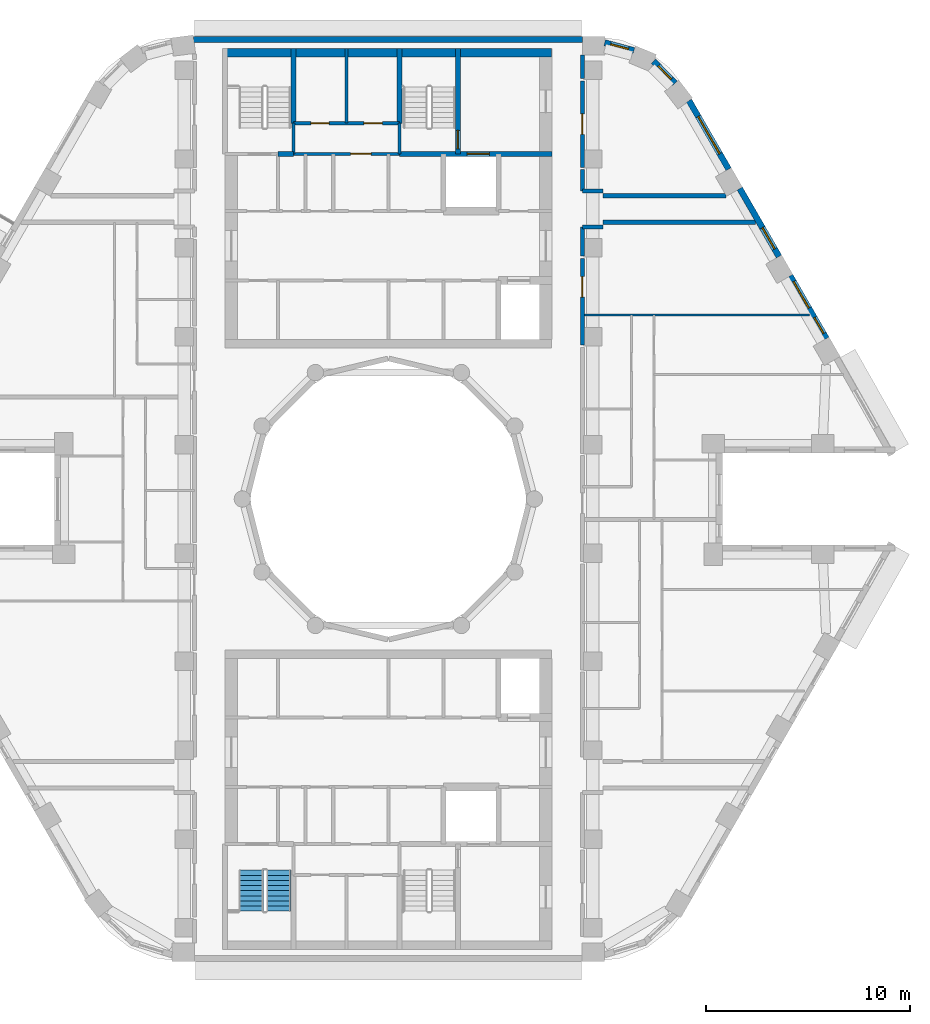
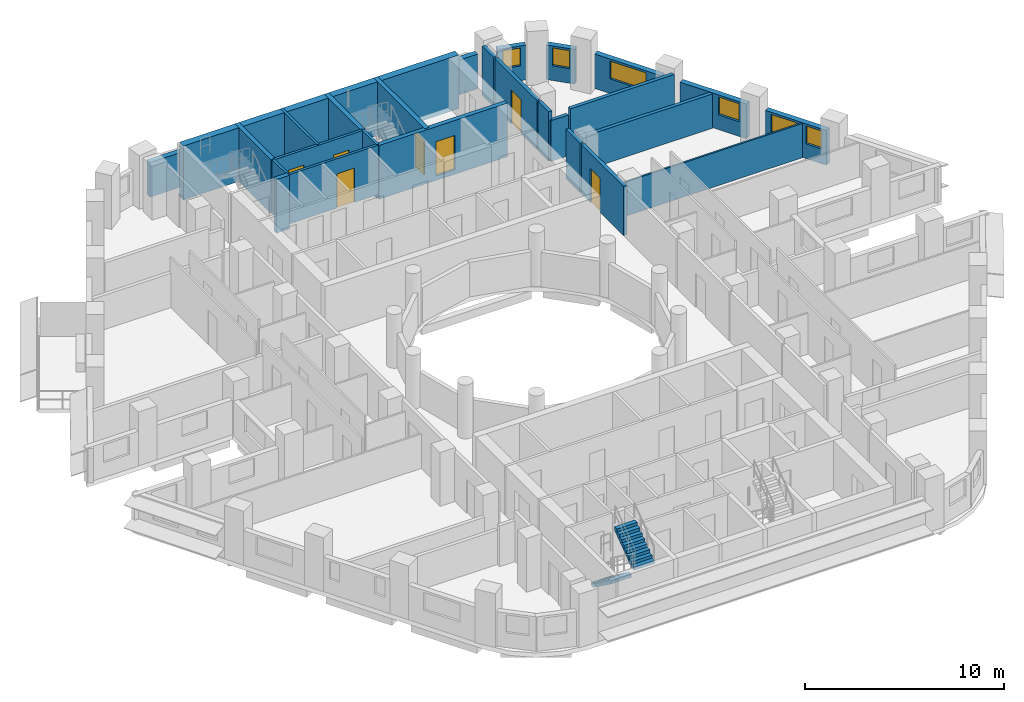
# One storey, part 8 of 13: 27 walls, 7 doors, 6 windows, 2 stair flights, 13 openings, 1 element without a shape of its own.
"""IFC4 building model written with IfcOpenShell, lengths in metres."""

import ifcopenshell
import ifcopenshell.guid

model = None  # the IFC model being written
_history = None  # IfcOwnerHistory: only IFC2X3 demands one
_inside = {}  # id of a spatial element -> (the spatial element, [elements in it])
_under = {}  # id of a project, library or spatial element -> (it, [spatial elements below it])
_declared = {}  # id of a project -> (the project, [libraries it declares])
_typed = {}  # id of a type object -> (the type object, [elements of that type])
_made_of = {}  # id of a material, layer set ... -> (it, [elements and type objects made of it])


def new_model(schema):
    """Start an empty IFC model of exactly this schema.

    Asked for "IFC4X3", IfcOpenShell would pick the latest addendum, in which some entities
    have other attributes; the version numbers below select the first issue.
    IFC2X3 requires an IfcOwnerHistory on every rooted entity: one is made here for all.
    """
    global model, _history
    if schema == "IFC4X3":
        model = ifcopenshell.file(schema_version=(4, 3, 0, 0))
    else:
        model = ifcopenshell.file(schema=schema)
    _inside.clear()
    _under.clear()
    _declared.clear()
    _typed.clear()
    _made_of.clear()
    _history = None
    if model.schema == "IFC2X3":
        org = make("IfcOrganization", Name="unknown")
        user = make(
            "IfcPersonAndOrganization",
            ThePerson=make("IfcPerson", FamilyName="unknown"),
            TheOrganization=org,
        )
        app = make(
            "IfcApplication",
            ApplicationDeveloper=org,
            Version="unknown",
            ApplicationFullName="unknown",
            ApplicationIdentifier="unknown",
        )
        _history = make(
            "IfcOwnerHistory",
            OwningUser=user,
            OwningApplication=app,
            ChangeAction="ADDED",
            CreationDate=0,
        )
    return model


def make(cls, **values):
    """One entity of the class cls with the attributes given. An attribute that is None is left unset."""
    return model.create_entity(
        cls, **{name: value for name, value in values.items() if value is not None}
    )


def rooted(cls, **values):
    """An entity with a GlobalId (a new one), such as an element, a storey or a relation."""
    return make(cls, GlobalId=ifcopenshell.guid.new(), OwnerHistory=_history, **values)


def si_unit(unit_type, name, prefix=None):
    """IfcSIUnit, for example si_unit("LENGTHUNIT", "METRE", prefix="MILLI")."""
    return make("IfcSIUnit", UnitType=unit_type, Prefix=prefix, Name=name)


def assignment(units):
    """IfcUnitAssignment: the units of a project."""
    return None if units is None else make("IfcUnitAssignment", Units=units)


def point(xyz):
    """IfcCartesianPoint."""
    return None if xyz is None else make("IfcCartesianPoint", Coordinates=xyz)


def direction(xyz):
    """IfcDirection."""
    return None if xyz is None else make("IfcDirection", DirectionRatios=xyz)


def frame(location, z_axis=None, x_axis=None):
    """IfcAxis2Placement3D, a coordinate frame: its origin and axes. An axis left out is left unset."""
    return make(
        "IfcAxis2Placement3D",
        Location=point(location),
        Axis=direction(z_axis),
        RefDirection=direction(x_axis),
    )


def frame_2d(location, x_axis=None):
    """IfcAxis2Placement2D, a coordinate frame in the plane: its origin and x axis."""
    return make(
        "IfcAxis2Placement2D", Location=point(location), RefDirection=direction(x_axis)
    )


def origin():
    """The frame at (0, 0, 0) with its axes left unset."""
    return frame((0.0, 0.0, 0.0))


def place(relative_to, where):
    """IfcLocalPlacement: puts the frame where relative to a parent placement (None: the world)."""
    return make(
        "IfcLocalPlacement", PlacementRelTo=relative_to, RelativePlacement=where
    )


def context(
    kind, dimensions, precision=None, world=None, true_north=None, identifier=None
):
    """IfcGeometricRepresentationContext, for example the 3D "Model" context."""
    return make(
        "IfcGeometricRepresentationContext",
        ContextIdentifier=identifier,
        ContextType=kind,
        CoordinateSpaceDimension=dimensions,
        Precision=precision,
        WorldCoordinateSystem=world,
        TrueNorth=true_north,
    )


def subcontext(parent, identifier, kind, view, scale=None):
    """IfcGeometricRepresentationSubContext, for example "Body" below "Model"."""
    return make(
        "IfcGeometricRepresentationSubContext",
        ContextIdentifier=identifier,
        ContextType=kind,
        ParentContext=parent,
        TargetScale=scale,
        TargetView=view,
    )


def project(units=None, contexts=None):
    """IfcProject with its units and contexts."""
    return rooted(
        "IfcProject",
        Name="project",
        RepresentationContexts=contexts,
        UnitsInContext=assignment(units),
    )


def spatial(cls, under=None, at=None, **own):
    """A site, building, storey or space (cls), placed at a placement, below another one or the project."""
    s = rooted(cls, ObjectPlacement=at, **own)
    if under is not None:
        _under.setdefault(under.id(), (under, []))[1].append(s)
    return s


def polyline(points):
    """IfcPolyline through the points."""
    return make("IfcPolyline", Points=[point(p) for p in points])


def profile(cls, at=None, kind="AREA", **sizes):
    """A parametric profile (cls). Its sizes go by their IFC names, for example OverallWidth=200.0."""
    return make(cls, ProfileType=kind, Position=at, **sizes)


def rectangle(**sizes):
    """IfcRectangleProfileDef."""
    return profile("IfcRectangleProfileDef", **sizes)


def outline(outer, holes=None, kind="AREA"):
    """IfcArbitraryClosedProfileDef: a profile drawn as a closed curve; with holes, ...WithVoids."""
    if holes is None:
        return make("IfcArbitraryClosedProfileDef", ProfileType=kind, OuterCurve=outer)
    return make(
        "IfcArbitraryProfileDefWithVoids",
        ProfileType=kind,
        OuterCurve=outer,
        InnerCurves=holes,
    )


def extrude(swept, where, along, depth):
    """IfcExtrudedAreaSolid: the profile swept, set in the frame where, extruded along a direction by depth."""
    return make(
        "IfcExtrudedAreaSolid",
        SweptArea=swept,
        Position=where,
        ExtrudedDirection=direction(along),
        Depth=depth,
    )


def shape(context_of_items, identifier, shape_type, items):
    """IfcShapeRepresentation: the items that make up one representation, for example the "Body"."""
    return make(
        "IfcShapeRepresentation",
        ContextOfItems=context_of_items,
        RepresentationIdentifier=identifier,
        RepresentationType=shape_type,
        Items=items,
    )


def material(Name=None, Category=None):
    """IfcMaterial."""
    return make("IfcMaterial", Name=Name, Category=Category)


def layer(
    of_material, thickness, ventilated=None, Name=None, Category=None, Priority=None
):
    """IfcMaterialLayer: one layer of a wall or slab, of a material (None: an air gap)."""
    return make(
        "IfcMaterialLayer",
        Material=of_material,
        LayerThickness=thickness,
        IsVentilated=ventilated,
        Name=Name,
        Category=Category,
        Priority=Priority,
    )


def layer_set(layers, Name=None):
    """IfcMaterialLayerSet."""
    return make("IfcMaterialLayerSet", MaterialLayers=layers, LayerSetName=Name)


def made_of(thing, what):
    """Note that an element or type object is made of a material, layer set ...; save() writes the relation."""
    if what is not None:
        _made_of.setdefault(what.id(), (what, []))[1].append(thing)
    return thing


def type_object(cls, material=None, **own):
    """A type object (cls), such as IfcWallType, which elements share."""
    return made_of(rooted(cls, **own), material)


def element(
    cls,
    number,
    at=None,
    inside=None,
    cuts=None,
    type_object=None,
    material=None,
    context=None,
    identifier="Body",
    shape_type=None,
    held_by="IfcProductDefinitionShape",
    body=None,
    shapes=None,
    **own,
):
    """One element of the class cls, such as IfcWall. Its Tag is "e" and its number.

    at: its placement. inside: the storey or other place that contains it. cuts: it is an
    opening in that element (IfcRelVoidsElement). A single representation is given by context,
    identifier, shape_type and body (its items); several are given by shapes. held_by: the class
    of the entity that holds the representations. save() writes the other relations.
    """
    e = rooted(cls, Tag="e%d" % number, ObjectPlacement=at, **own)
    if body is not None:
        shapes = [shape(context, identifier, shape_type, body)]
    if shapes is not None:
        e.Representation = make(held_by, Representations=shapes)
    if inside is not None:
        _inside.setdefault(inside.id(), (inside, []))[1].append(e)
    if cuts is not None:
        rooted(
            "IfcRelVoidsElement", RelatingBuildingElement=cuts, RelatedOpeningElement=e
        )
    if type_object is not None:
        _typed.setdefault(type_object.id(), (type_object, []))[1].append(e)
    return made_of(e, material)


def fill(opening, filler):
    """IfcRelFillsElement: the door or window that sits in an opening."""
    return rooted(
        "IfcRelFillsElement",
        RelatingOpeningElement=opening,
        RelatedBuildingElement=filler,
    )


def aggregate(whole, parts):
    """IfcRelAggregates: a whole, such as a stair, and the parts it consists of."""
    return rooted("IfcRelAggregates", RelatingObject=whole, RelatedObjects=parts)


def save(model, path):
    """Write the relations noted so far, then the file.

    IfcRelAggregates (storeys below a building ...), IfcRelContainedInSpatialStructure (elements
    in a storey), IfcRelDefinesByType, IfcRelAssociatesMaterial and IfcRelDeclares: one each for
    every whole, place, type object, material and project.
    """
    for whole, parts in _under.values():
        aggregate(whole, parts)
    for where, things in _inside.values():
        rooted(
            "IfcRelContainedInSpatialStructure",
            RelatedElements=things,
            RelatingStructure=where,
        )
    for kind, things in _typed.values():
        rooted("IfcRelDefinesByType", RelatedObjects=things, RelatingType=kind)
    for what, things in _made_of.values():
        rooted("IfcRelAssociatesMaterial", RelatedObjects=things, RelatingMaterial=what)
    for by, libraries in _declared.values():
        rooted("IfcRelDeclares", RelatingContext=by, RelatedDefinitions=libraries)
    model.write(path)


model = new_model("IFC4")

# Units and contexts
model_context = context("Model", 3, precision=1e-05, world=origin(), true_north=direction((0.0, 1.0)))
body_context = subcontext(model_context, "Body", "Model", "MODEL_VIEW")
ifc_project = project(units=[si_unit("LENGTHUNIT", "METRE"), si_unit("AREAUNIT", "SQUARE_METRE"), si_unit("VOLUMEUNIT", "CUBIC_METRE"), si_unit("PLANEANGLEUNIT", "RADIAN"), si_unit("MASSUNIT", "GRAM", prefix="KILO")], contexts=[model_context])

# Site, building, storey
site_placement = place(None, origin())
site = spatial("IfcSite", under=ifc_project, at=site_placement, CompositionType="ELEMENT")
building_placement = place(site_placement, origin())
building = spatial("IfcBuilding", under=site, at=building_placement, Name="Nakaniwa Court", CompositionType="ELEMENT")
storey_placement = place(building_placement, frame((0.0, 0.0, 269.10009765625)))
storey = spatial("IfcBuildingStorey", under=building, at=storey_placement, Name="L71", CompositionType="ELEMENT", Elevation=269.10009765625)

# Wall, opening, door
ifc_material_1 = material(Name="Acoustic double stud partition")
ifc_layer_1 = layer(ifc_material_1, 0.199951171875)
ifc_layer_set_1 = layer_set([ifc_layer_1], Name="Acoustic double stud partition")
wall_type_1 = type_object("IfcWallType", Name="Acoustic double stud partition 200", PredefinedType="PARTITIONING", material=ifc_layer_set_1)
wall_1_placement = place(storey_placement, frame((89.5, 91.77294921875, 0.0), z_axis=(0.0, 0.0, 1.0), x_axis=(0.0, -1.0, 0.0)))
wall_1 = element("IfcWall", 1, at=wall_1_placement, inside=storey, type_object=wall_type_1, Name="Partition PW-065", PredefinedType="PARTITIONING", context=body_context, shape_type="SweptSolid", body=[
    extrude(rectangle(XDim=4.23583984375, YDim=0.199951171875, at=frame_2d((2.117919921875, 0.0))), origin(), (0.0, 0.0, 1.0), 3.02490234375),
])
opening_1_placement = place(wall_1_placement, frame((0.887939453125, 0.0, 0.0)))
opening_1 = element("IfcOpeningElement", 2, at=opening_1_placement, cuts=wall_1, Name="Opening D-02-02", PredefinedType="OPENING", context=body_context, shape_type="SweptSolid", body=[
    extrude(rectangle(XDim=1.0, YDim=2.10009765625, at=frame_2d((0.5, 1.050048828125))), frame((0.0, 0.10986328125, 0.0), z_axis=(0.0, -1.0, 0.0), x_axis=(1.0, 0.0, 0.0)), (0.0, 0.0, 1.0), 0.219970703125),
])
ifc_material_2 = material(Name="Solid core timber door set, black veneer", Category="wood")
door_type_1 = type_object("IfcDoorType", Name="Internal door 1000", OperationType="NOTDEFINED", PredefinedType="DOOR", material=ifc_material_2)
door_1_placement = place(opening_1_placement, origin())
door_1 = element("IfcDoor", 3, at=door_1_placement, inside=storey, type_object=door_type_1, Name="Door D-02-02 L71-044", OperationType="SINGLE_SWING_LEFT", OverallHeight=2.10009765625, OverallWidth=1.0, PredefinedType="DOOR", context=body_context, shape_type="SweptSolid", body=[
    extrude(rectangle(XDim=1.0, YDim=2.10009765625, at=frame_2d((0.5, 1.050048828125))), frame((0.0, 0.02490234375, 0.0), z_axis=(0.0, -1.0, 0.0), x_axis=(1.0, 0.0, 0.0)), (0.0, 0.0, 1.0), 0.050048828125),
])
fill(opening_1, door_1)

# Walls
wall_2_placement = place(storey_placement, frame((89.5, 91.886962890625, 0.0), z_axis=(0.0, 0.0, 1.0), x_axis=(0.0, 1.0, 0.0)))
element("IfcWall", 4, at=wall_2_placement, inside=storey, type_object=wall_type_1, Name="Partition PW-066", PredefinedType="PARTITIONING", context=body_context, shape_type="SweptSolid", body=[
    extrude(rectangle(XDim=1.44091796875, YDim=0.199951171875, at=frame_2d((0.720458984375, 0.0))), origin(), (0.0, 0.0, 1.0), 3.02490234375),
])
wall_3_placement = place(storey_placement, frame((89.5, 95.072021484375, 0.0), z_axis=(0.0, 0.0, 1.0), x_axis=(0.0, 1.0, 0.0)))
element("IfcWall", 5, at=wall_3_placement, inside=storey, type_object=wall_type_1, Name="Partition PW-067", PredefinedType="PARTITIONING", context=body_context, shape_type="SweptSolid", body=[
    extrude(rectangle(XDim=1.051025390625, YDim=0.199951171875, at=frame_2d((0.525390625, 0.0))), origin(), (0.0, 0.0, 1.0), 3.02490234375),
])

# Wall, opening, door
wall_4_placement = place(storey_placement, frame((89.5, 100.472900390625, 0.0), z_axis=(0.0, 0.0, 1.0), x_axis=(0.0, -1.0, 0.0)))
wall_4 = element("IfcWall", 6, at=wall_4_placement, inside=storey, type_object=wall_type_1, Name="Partition PW-068", PredefinedType="PARTITIONING", context=body_context, shape_type="SweptSolid", body=[
    extrude(rectangle(XDim=4.23583984375, YDim=0.199951171875, at=frame_2d((2.117919921875, 0.0))), origin(), (0.0, 0.0, 1.0), 3.02490234375),
])
opening_2_placement = place(wall_4_placement, frame((1.617919921875, 0.0, 0.0)))
opening_2 = element("IfcOpeningElement", 7, at=opening_2_placement, cuts=wall_4, Name="Opening D-02-04", PredefinedType="OPENING", context=body_context, shape_type="SweptSolid", body=[
    extrude(rectangle(XDim=1.0, YDim=2.10009765625, at=frame_2d((0.5, 1.050048828125))), frame((0.0, 0.10986328125, 0.0), z_axis=(0.0, -1.0, 0.0), x_axis=(1.0, 0.0, 0.0)), (0.0, 0.0, 1.0), 0.219970703125),
])
door_2_placement = place(opening_2_placement, origin())
door_2 = element("IfcDoor", 8, at=door_2_placement, inside=storey, type_object=door_type_1, Name="Door D-02-04 L71-056", OperationType="SINGLE_SWING_LEFT", OverallHeight=2.10009765625, OverallWidth=1.0, PredefinedType="DOOR", context=body_context, shape_type="SweptSolid", body=[
    extrude(rectangle(XDim=1.0, YDim=2.10009765625, at=frame_2d((0.5, 1.050048828125))), frame((0.0, 0.02490234375, 0.0), z_axis=(0.0, -1.0, 0.0), x_axis=(1.0, 0.0, 0.0)), (0.0, 0.0, 1.0), 0.050048828125),
])
fill(opening_2, door_2)

# Walls
wall_5_placement = place(storey_placement, frame((89.5, 100.5869140625, 0.0), z_axis=(0.0, 0.0, 1.0), x_axis=(0.0, 1.0, 0.0)))
element("IfcWall", 9, at=wall_5_placement, inside=storey, type_object=wall_type_1, Name="Partition PW-069", PredefinedType="PARTITIONING", context=body_context, shape_type="SweptSolid", body=[
    extrude(rectangle(XDim=1.14599609375, YDim=0.199951171875, at=frame_2d((0.572998046875, 0.0))), origin(), (0.0, 0.0, 1.0), 3.02490234375),
])
wall_6_placement = place(storey_placement, frame((90.5, 93.550048828125, 0.0), z_axis=(0.0, 0.0, 1.0), x_axis=(1.0, 0.0, 0.0)))
element("IfcWall", 10, at=wall_6_placement, inside=storey, type_object=wall_type_1, Name="Partition PW-071", PredefinedType="PARTITIONING", context=body_context, shape_type="SweptSolid", body=[
    extrude(rectangle(XDim=7.484619140625, YDim=0.199951171875, at=frame_2d((3.7421875, 0.0))), origin(), (0.0, 0.0, 1.0), 2.10498046875),
])
for number, where, z_axis, x_axis, name in (
    (11, (89.5, 93.324951171875, 0.0), (0.0, 0.0, 1.0), (1.0, 0.0, 0.0), "Partition PW-073"),
    (12, (89.5, 95.074951171875, 0.0), (0.0, 0.0, 1.0), (1.0, 0.0, 0.0), "Partition PW-075"),
):
    element("IfcWall", number, at=place(storey_placement, frame(where, z_axis=z_axis, x_axis=x_axis)), inside=storey, type_object=wall_type_1, Name=name, PredefinedType="PARTITIONING", context=body_context, shape_type="SweptSolid", body=[
        extrude(rectangle(XDim=1.0, YDim=0.199951171875, at=frame_2d((0.5, 0.0))), origin(), (0.0, 0.0, 1.0), 2.5048828125),
    ])
wall_7_placement = place(storey_placement, frame((90.5, 94.85009765625, 0.0), z_axis=(0.0, 0.0, 1.0), x_axis=(1.0, 0.0, 0.0)))
element("IfcWall", 13, at=wall_7_placement, inside=storey, type_object=wall_type_1, Name="Partition PW-077", PredefinedType="PARTITIONING", context=body_context, shape_type="SweptSolid", body=[
    extrude(rectangle(XDim=6.02099609375, YDim=0.199951171875, at=frame_2d((3.010498046875, 0.0))), origin(), (0.0, 0.0, 1.0), 3.02490234375),
])

# Wall, openings, windows
ifc_material_3 = material(Name="Charcoal ceramic cladding")
ifc_layer_2 = layer(ifc_material_3, 0.02, Name="Ceramic cladding")
ifc_material_4 = material(Name="Ventilated air cavity")
ifc_layer_3 = layer(ifc_material_4, 0.04, ventilated=True, Name="Ventilated cavity")
ifc_material_5 = material(Name="Mineral wool insulation")
ifc_layer_4 = layer(ifc_material_5, 0.1, Name="Insulation")
ifc_material_6 = material(Name="Cement bonded sheathing board")
ifc_layer_5 = layer(ifc_material_6, 0.012, Name="Sheathing")
ifc_material_7 = material(Name="Cold-formed galvanised stud frame with mineral wool infill")
ifc_layer_6 = layer(ifc_material_7, 0.1, Name="Stud frame")
ifc_material_8 = material(Name="Fire-rated gypsum plasterboard lining")
ifc_layer_7 = layer(ifc_material_8, 0.028, Name="Lining")
ifc_layer_set_2 = layer_set([ifc_layer_2, ifc_layer_3, ifc_layer_4, ifc_layer_5, ifc_layer_6, ifc_layer_7], Name="Charcoal ceramic faced external wall system")
wall_type_2 = type_object("IfcWallType", Name="Black ceramic faced external wall 300", PredefinedType="SOLIDWALL", material=ifc_layer_set_2)
wall_8_placement = place(storey_placement, frame((101.44580078125, 87.85498046875, 0.0), z_axis=(0.0, 0.0, 1.0), x_axis=(-0.500010404316, 0.866019396766, 0.0)))
wall_8 = element("IfcWall", 14, at=wall_8_placement, inside=storey, type_object=wall_type_2, Name="L71 external wall 03", PredefinedType="SOLIDWALL", context=body_context, shape_type="SweptSolid", body=[
    extrude(rectangle(XDim=3.54736328125, YDim=0.300048828125, at=frame_2d((1.773681640625, 0.0))), origin(), (0.0, 0.0, 1.0), 2.125),
])
opening_3_placement = place(wall_8_placement, frame((0.28515625, 0.0, 0.89990234375)))
opening_3 = element("IfcOpeningElement", 15, at=opening_3_placement, cuts=wall_8, Name="Opening W9.04", PredefinedType="OPENING", context=body_context, shape_type="SweptSolid", body=[
    extrude(rectangle(XDim=0.89990234375, YDim=1.10009765625, at=frame_2d((0.449951171875, 0.550048828125))), frame((0.0, 0.159912109375, 0.0), z_axis=(0.0, -1.0, 0.0), x_axis=(1.0, 0.0, 0.0)), (0.0, 0.0, 1.0), 0.320068359375),
])
opening_4_placement = place(wall_8_placement, frame((1.7216796875, 0.0, 0.89990234375)))
opening_4 = element("IfcOpeningElement", 16, at=opening_4_placement, cuts=wall_8, Name="Opening W5.05", PredefinedType="OPENING", context=body_context, shape_type="SweptSolid", body=[
    extrude(rectangle(XDim=1.5, YDim=1.10009765625, at=frame_2d((0.75, 0.550048828125))), frame((0.0, 0.159912109375, 0.0), z_axis=(0.0, -1.0, 0.0), x_axis=(1.0, 0.0, 0.0)), (0.0, 0.0, 1.0), 0.320068359375),
])
ifc_material_9 = material(Name="Black anodised aluminium frame with dark low-E laminated double glazing", Category="aluminium")
window_type_1 = type_object("IfcWindowType", Name="Dark glass window 1500x1100 sill 900", PartitioningType="SINGLE_PANEL", PredefinedType="WINDOW", material=ifc_material_9)
window_1_placement = place(opening_4_placement, origin())
window_1 = element("IfcWindow", 17, at=window_1_placement, inside=storey, type_object=window_type_1, Name="L71 habitable room window 03-1", OverallHeight=1.10009765625, OverallWidth=1.5, PartitioningType="SINGLE_PANEL", PredefinedType="WINDOW", context=body_context, shape_type="SweptSolid", body=[
    extrude(rectangle(XDim=1.5, YDim=1.10009765625, at=frame_2d((0.75, 0.550048828125))), frame((0.0, 0.030029296875, 0.0), z_axis=(0.0, -1.0, 0.0), x_axis=(1.0, 0.0, 0.0)), (0.0, 0.0, 1.0), 0.06005859375),
])
fill(opening_4, window_1)
window_type_2 = type_object("IfcWindowType", Name="Dark glass window 900x1100 sill 900", PartitioningType="SINGLE_PANEL", PredefinedType="WINDOW", material=ifc_material_9)
window_2_placement = place(opening_3_placement, origin())
window_2 = element("IfcWindow", 18, at=window_2_placement, inside=storey, type_object=window_type_2, Name="L71 bedroom window 03-0", OverallHeight=1.10009765625, OverallWidth=0.89990234375, PartitioningType="SINGLE_PANEL", PredefinedType="WINDOW", context=body_context, shape_type="SweptSolid", body=[
    extrude(rectangle(XDim=0.89990234375, YDim=1.10009765625, at=frame_2d((0.449951171875, 0.550048828125))), frame((0.0, 0.030029296875, 0.0), z_axis=(0.0, -1.0, 0.0), x_axis=(1.0, 0.0, 0.0)), (0.0, 0.0, 1.0), 0.06005859375),
])
fill(opening_3, window_2)

# Wall, opening, window
wall_9_placement = place(storey_placement, frame((99.126220703125, 91.87255859375, 0.0), z_axis=(0.0, 0.0, 1.0), x_axis=(-0.499984490703, 0.866034357896, 0.0)))
wall_9 = element("IfcWall", 19, at=wall_9_placement, inside=storey, type_object=wall_type_2, Name="L71 external wall 04", PredefinedType="SOLIDWALL", context=body_context, shape_type="SweptSolid", body=[
    extrude(rectangle(XDim=3.84423828125, YDim=0.300048828125, at=frame_2d((1.922119140625, 0.0))), origin(), (0.0, 0.0, 1.0), 2.125),
])
opening_5_placement = place(wall_9_placement, frame((0.4296875, 0.0, 0.89990234375)))
opening_5 = element("IfcOpeningElement", 20, at=opening_5_placement, cuts=wall_9, Name="Opening W6.06", PredefinedType="OPENING", context=body_context, shape_type="SweptSolid", body=[
    extrude(rectangle(XDim=1.199951171875, YDim=1.10009765625, at=frame_2d((0.60009765625, 0.550048828125))), frame((0.0, 0.159912109375, 0.0), z_axis=(0.0, -1.0, 0.0), x_axis=(1.0, 0.0, 0.0)), (0.0, 0.0, 1.0), 0.320068359375),
])
window_type_3 = type_object("IfcWindowType", Name="Dark glass window 1200x1100 sill 900", PartitioningType="SINGLE_PANEL", PredefinedType="WINDOW", material=ifc_material_9)
window_3_placement = place(opening_5_placement, origin())
window_3 = element("IfcWindow", 21, at=window_3_placement, inside=storey, type_object=window_type_3, Name="L71 habitable room window 04-0", OverallHeight=1.10009765625, OverallWidth=1.199951171875, PartitioningType="SINGLE_PANEL", PredefinedType="WINDOW", context=body_context, shape_type="SweptSolid", body=[
    extrude(rectangle(XDim=1.199951171875, YDim=1.10009765625, at=frame_2d((0.60009765625, 0.550048828125))), frame((0.0, 0.030029296875, 0.0), z_axis=(0.0, -1.0, 0.0), x_axis=(1.0, 0.0, 0.0)), (0.0, 0.0, 1.0), 0.06005859375),
])
fill(opening_5, window_3)

wall_10_placement = place(storey_placement, frame((96.657958984375, 96.1474609375, 0.0), z_axis=(0.0, 0.0, 1.0), x_axis=(-0.500011218404, 0.866018926739, 0.0)))
wall_10 = element("IfcWall", 22, at=wall_10_placement, inside=storey, type_object=wall_type_2, Name="L71 external wall 05", PredefinedType="SOLIDWALL", context=body_context, shape_type="SweptSolid", body=[
    extrude(rectangle(XDim=3.87890625, YDim=0.300048828125, at=frame_2d((1.939453125, 0.0))), origin(), (0.0, 0.0, 1.0), 2.125),
])
opening_6_placement = place(wall_10_placement, frame((0.878173828125, 0.0, 0.89990234375)))
opening_6 = element("IfcOpeningElement", 23, at=opening_6_placement, cuts=wall_10, Name="Opening W7.07", PredefinedType="OPENING", context=body_context, shape_type="SweptSolid", body=[
    extrude(rectangle(XDim=2.10009765625, YDim=1.10009765625, at=frame_2d((1.050048828125, 0.550048828125))), frame((0.0, 0.159912109375, 0.0), z_axis=(0.0, -1.0, 0.0), x_axis=(1.0, 0.0, 0.0)), (0.0, 0.0, 1.0), 0.320068359375),
])
window_type_4 = type_object("IfcWindowType", Name="Dark glass window 2100x1100 sill 900", PartitioningType="SINGLE_PANEL", PredefinedType="WINDOW", material=ifc_material_9)
window_4_placement = place(opening_6_placement, origin())
window_4 = element("IfcWindow", 24, at=window_4_placement, inside=storey, type_object=window_type_4, Name="L71 habitable room window 05-0", OverallHeight=1.10009765625, OverallWidth=2.10009765625, PartitioningType="SINGLE_PANEL", PredefinedType="WINDOW", context=body_context, shape_type="SweptSolid", body=[
    extrude(rectangle(XDim=2.10009765625, YDim=1.10009765625, at=frame_2d((1.050048828125, 0.550048828125))), frame((0.0, 0.030029296875, 0.0), z_axis=(0.0, -1.0, 0.0), x_axis=(1.0, 0.0, 0.0)), (0.0, 0.0, 1.0), 0.06005859375),
])
fill(opening_6, window_4)

wall_11_placement = place(storey_placement, frame((94.0341796875, 100.3583984375, 0.0), z_axis=(0.0, 0.0, 1.0), x_axis=(-0.698675602211, 0.71543860874, 0.0)))
wall_11 = element("IfcWall", 25, at=wall_11_placement, inside=storey, type_object=wall_type_2, Name="L71 external wall 06", PredefinedType="SOLIDWALL", context=body_context, shape_type="SweptSolid", body=[
    extrude(rectangle(XDim=1.5, YDim=0.300048828125, at=frame_2d((0.75, 0.0))), origin(), (0.0, 0.0, 1.0), 2.125),
])
opening_7_placement = place(wall_11_placement, frame((0.27587890625, 0.0, 0.89990234375)))
opening_7 = element("IfcOpeningElement", 26, at=opening_7_placement, cuts=wall_11, Name="Opening W9.08", PredefinedType="OPENING", context=body_context, shape_type="SweptSolid", body=[
    extrude(rectangle(XDim=0.89990234375, YDim=1.10009765625, at=frame_2d((0.449951171875, 0.550048828125))), frame((0.0, 0.159912109375, 0.0), z_axis=(0.0, -1.0, 0.0), x_axis=(1.0, 0.0, 0.0)), (0.0, 0.0, 1.0), 0.320068359375),
])
window_5_placement = place(opening_7_placement, origin())
window_5 = element("IfcWindow", 27, at=window_5_placement, inside=storey, type_object=window_type_2, Name="L71 habitable room window 06-0", OverallHeight=1.10009765625, OverallWidth=0.89990234375, PartitioningType="SINGLE_PANEL", PredefinedType="WINDOW", context=body_context, shape_type="SweptSolid", body=[
    extrude(rectangle(XDim=0.89990234375, YDim=1.10009765625, at=frame_2d((0.449951171875, 0.550048828125))), frame((0.0, 0.030029296875, 0.0), z_axis=(0.0, -1.0, 0.0), x_axis=(1.0, 0.0, 0.0)), (0.0, 0.0, 1.0), 0.06005859375),
])
fill(opening_7, window_5)

wall_12_placement = place(storey_placement, frame((92.02099609375, 101.956298828125, 0.0), z_axis=(0.0, 0.0, 1.0), x_axis=(-0.965392564919, 0.260801065181, 0.0)))
wall_12 = element("IfcWall", 28, at=wall_12_placement, inside=storey, type_object=wall_type_2, Name="L71 external wall 07", PredefinedType="SOLIDWALL", context=body_context, shape_type="SweptSolid", body=[
    extrude(rectangle(XDim=1.48095703125, YDim=0.300048828125, at=frame_2d((0.740478515625, 0.0))), origin(), (0.0, 0.0, 1.0), 2.125),
])
opening_8_placement = place(wall_12_placement, frame((0.280029296875, 0.0, 0.89990234375)))
opening_8 = element("IfcOpeningElement", 29, at=opening_8_placement, cuts=wall_12, Name="Opening W9.09", PredefinedType="OPENING", context=body_context, shape_type="SweptSolid", body=[
    extrude(rectangle(XDim=0.89990234375, YDim=1.10009765625, at=frame_2d((0.449951171875, 0.550048828125))), frame((0.0, 0.159912109375, 0.0), z_axis=(0.0, -1.0, 0.0), x_axis=(1.0, 0.0, 0.0)), (0.0, 0.0, 1.0), 0.320068359375),
])
window_6_placement = place(opening_8_placement, origin())
window_6 = element("IfcWindow", 30, at=window_6_placement, inside=storey, type_object=window_type_2, Name="L71 habitable room window 07-0", OverallHeight=1.10009765625, OverallWidth=0.89990234375, PartitioningType="SINGLE_PANEL", PredefinedType="WINDOW", context=body_context, shape_type="SweptSolid", body=[
    extrude(rectangle(XDim=0.89990234375, YDim=1.10009765625, at=frame_2d((0.449951171875, 0.550048828125))), frame((0.0, 0.030029296875, 0.0), z_axis=(0.0, -1.0, 0.0), x_axis=(1.0, 0.0, 0.0)), (0.0, 0.0, 1.0), 0.06005859375),
])
fill(opening_8, window_6)

# Wall
wall_13_placement = place(storey_placement, frame((89.499267578125, 102.5, 0.0), z_axis=(0.0, 0.0, 1.0), x_axis=(-1.0, 0.0, 0.0)))
element("IfcWall", 31, at=wall_13_placement, inside=storey, type_object=wall_type_2, Name="L71 external wall 08", PredefinedType="SOLIDWALL", context=body_context, shape_type="SweptSolid", body=[
    extrude(rectangle(XDim=19.033447265625, YDim=0.300048828125, at=frame_2d((9.5166015625, 0.0))), origin(), (0.0, 0.0, 1.0), 2.125),
])

# Wall, opening, door
ifc_material_10 = material(Name="Blockwork partition", Category="masonry")
ifc_layer_8 = layer(ifc_material_10, 0.14990234375)
ifc_layer_set_3 = layer_set([ifc_layer_8], Name="Blockwork partition")
wall_type_3 = type_object("IfcWallType", Name="Blockwork partition 150", PredefinedType="PARTITIONING", material=ifc_layer_set_3)
wall_14_placement = place(storey_placement, frame((75.346923828125, 96.89990234375, 0.0), z_axis=(0.0, 0.0, 1.0), x_axis=(1.0, 0.0, 0.0)))
wall_14 = element("IfcWall", 32, at=wall_14_placement, inside=storey, type_object=wall_type_3, Name="Partition PW-019", PredefinedType="PARTITIONING", context=body_context, shape_type="SweptSolid", body=[
    extrude(rectangle(XDim=5.2060546875, YDim=0.14990234375, at=frame_2d((2.60302734375, 0.0))), origin(), (0.0, 0.0, 1.0), 3.02490234375),
])
opening_9_placement = place(wall_14_placement, frame((2.802978515625, 0.0, 0.0)))
opening_9 = element("IfcOpeningElement", 33, at=opening_9_placement, cuts=wall_14, Name="Opening D-23-01", PredefinedType="OPENING", context=body_context, shape_type="SweptSolid", body=[
    extrude(rectangle(XDim=1.0, YDim=2.10009765625, at=frame_2d((0.5, 1.050048828125))), frame((0.0, 0.0849609375, 0.0), z_axis=(0.0, -1.0, 0.0), x_axis=(1.0, 0.0, 0.0)), (0.0, 0.0, 1.0), 0.169921875),
])
ifc_material_11 = material(Name="Fire rated steel door set", Category="steel")
door_type_2 = type_object("IfcDoorType", Name="Service room door 1000", OperationType="NOTDEFINED", PredefinedType="DOOR", material=ifc_material_11)
door_3_placement = place(opening_9_placement, origin())
door_3 = element("IfcDoor", 34, at=door_3_placement, inside=storey, type_object=door_type_2, Name="Door D-23-01 L71-011", OperationType="SINGLE_SWING_RIGHT", OverallHeight=2.10009765625, OverallWidth=1.0, PredefinedType="DOOR", context=body_context, shape_type="SweptSolid", body=[
    extrude(rectangle(XDim=1.0, YDim=2.10009765625, at=frame_2d((0.5, 1.050048828125))), frame((0.0, 0.02490234375, 0.0), z_axis=(0.0, -1.0, 0.0), x_axis=(1.0, 0.0, 0.0)), (0.0, 0.0, 1.0), 0.050048828125),
])
fill(opening_9, door_3)

# Wall, openings, doors
wall_15_placement = place(storey_placement, frame((75.35009765625, 98.39990234375, 0.0), z_axis=(0.0, 0.0, 1.0), x_axis=(1.0, 0.0, 0.0)))
wall_15 = element("IfcWall", 35, at=wall_15_placement, inside=storey, type_object=wall_type_3, Name="Partition PW-028", PredefinedType="PARTITIONING", context=body_context, shape_type="SweptSolid", body=[
    extrude(rectangle(XDim=5.199951171875, YDim=0.14990234375, at=frame_2d((2.60009765625, 0.0))), origin(), (0.0, 0.0, 1.0), 3.02490234375),
])
opening_10_placement = place(wall_15_placement, frame((0.85009765625, 0.0, 0.0)))
opening_10 = element("IfcOpeningElement", 36, at=opening_10_placement, cuts=wall_15, Name="Opening D-05-09", PredefinedType="OPENING", context=body_context, shape_type="SweptSolid", body=[
    extrude(rectangle(XDim=0.89990234375, YDim=2.10009765625, at=frame_2d((0.449951171875, 1.050048828125))), frame((0.0, 0.0849609375, 0.0), z_axis=(0.0, -1.0, 0.0), x_axis=(1.0, 0.0, 0.0)), (0.0, 0.0, 1.0), 0.169921875),
])
opening_11_placement = place(wall_15_placement, frame((3.449951171875, 0.0, 0.0)))
opening_11 = element("IfcOpeningElement", 37, at=opening_11_placement, cuts=wall_15, Name="Opening D-05-10", PredefinedType="OPENING", context=body_context, shape_type="SweptSolid", body=[
    extrude(rectangle(XDim=0.89990234375, YDim=2.10009765625, at=frame_2d((0.449951171875, 1.050048828125))), frame((0.0, 0.0849609375, 0.0), z_axis=(0.0, -1.0, 0.0), x_axis=(1.0, 0.0, 0.0)), (0.0, 0.0, 1.0), 0.169921875),
])
door_type_3 = type_object("IfcDoorType", Name="Service room door 900", OperationType="NOTDEFINED", PredefinedType="DOOR", material=ifc_material_11)
door_4_placement = place(opening_10_placement, origin())
door_4 = element("IfcDoor", 38, at=door_4_placement, inside=storey, type_object=door_type_3, Name="Door D-05-09 L71-012", OperationType="SINGLE_SWING_LEFT", OverallHeight=2.10009765625, OverallWidth=0.89990234375, PredefinedType="DOOR", context=body_context, shape_type="SweptSolid", body=[
    extrude(rectangle(XDim=0.89990234375, YDim=2.10009765625, at=frame_2d((0.449951171875, 1.050048828125))), frame((0.0, 0.02490234375, 0.0), z_axis=(0.0, -1.0, 0.0), x_axis=(1.0, 0.0, 0.0)), (0.0, 0.0, 1.0), 0.050048828125),
])
fill(opening_10, door_4)
door_5_placement = place(opening_11_placement, origin())
door_5 = element("IfcDoor", 39, at=door_5_placement, inside=storey, type_object=door_type_3, Name="Door D-05-10 L71-013", OperationType="SINGLE_SWING_RIGHT", OverallHeight=2.10009765625, OverallWidth=0.89990234375, PredefinedType="DOOR", context=body_context, shape_type="SweptSolid", body=[
    extrude(rectangle(XDim=0.89990234375, YDim=2.10009765625, at=frame_2d((0.449951171875, 1.050048828125))), frame((0.0, 0.02490234375, 0.0), z_axis=(0.0, -1.0, 0.0), x_axis=(1.0, 0.0, 0.0)), (0.0, 0.0, 1.0), 0.050048828125),
])
fill(opening_11, door_5)

# Walls
wall_16_placement = place(storey_placement, frame((77.949951171875, 98.39990234375, 0.0), z_axis=(0.0, 0.0, 1.0), x_axis=(0.0, 1.0, 0.0)))
element("IfcWall", 40, at=wall_16_placement, inside=storey, type_object=wall_type_3, Name="Partition PW-029", PredefinedType="PARTITIONING", context=body_context, shape_type="SweptSolid", body=[
    extrude(rectangle(XDim=3.650146484375, YDim=0.14990234375, at=frame_2d((1.8251953125, 0.0))), origin(), (0.0, 0.0, 1.0), 3.02490234375),
])
ifc_material_12 = material(Name="Concrete C80/100", Category="concrete")
ifc_layer_9 = layer(ifc_material_12, 0.14990234375)
ifc_layer_set_4 = layer_set([ifc_layer_9], Name="Concrete C80/100")
wall_type_4 = type_object("IfcWallType", Name="Concrete core wall 150 C80", PredefinedType="SHEAR", material=ifc_layer_set_4)
for number, where, z_axis, x_axis, name in (
    (41, (75.35009765625, 96.89990234375, -0.275146484375), (0.0, 0.0, 1.0), (0.0, 1.0, 0.0), "Core wall SW-22"),
    (42, (80.550048828125, 96.89990234375, -0.275146484375), (0.0, 0.0, 1.0), (0.0, 1.0, 0.0), "Core wall SW-26"),
):
    element("IfcWall", number, at=place(storey_placement, frame(where, z_axis=z_axis, x_axis=x_axis)), inside=storey, type_object=wall_type_4, Name=name, PredefinedType="SHEAR", context=body_context, shape_type="SweptSolid", body=[
        extrude(rectangle(XDim=1.503173828125, YDim=0.14990234375, at=frame_2d((0.75146484375, 0.0))), origin(), (0.0, 0.0, 1.0), 3.300048828125),
    ])
ifc_layer_10 = layer(ifc_material_12, 0.39990234375)
ifc_layer_set_5 = layer_set([ifc_layer_10], Name="Concrete C80/100")
wall_type_5 = type_object("IfcWallType", Name="Concrete core wall 400 C80", PredefinedType="SHEAR", material=ifc_layer_set_5)
wall_17_placement = place(storey_placement, frame((72.00390625, 101.85009765625, -0.275146484375), z_axis=(0.0, 0.0, 1.0), x_axis=(1.0, 0.0, 0.0)))
element("IfcWall", 43, at=wall_17_placement, inside=storey, type_object=wall_type_5, Name="Core wall SW-123", PredefinedType="SHEAR", context=body_context, shape_type="SweptSolid", body=[
    extrude(rectangle(XDim=15.9921875, YDim=0.39990234375, at=frame_2d((7.99609375, 0.0))), origin(), (0.0, 0.0, 1.0), 3.300048828125),
])
ifc_layer_11 = layer(ifc_material_12, 0.25)
ifc_layer_set_6 = layer_set([ifc_layer_11], Name="Concrete C80/100")
wall_type_6 = type_object("IfcWallType", Name="Concrete shaft wall 250 C80", PredefinedType="SHEAR", material=ifc_layer_set_6)
wall_18_placement = place(storey_placement, frame((74.60009765625, 96.89990234375, -0.275146484375), z_axis=(0.0, 0.0, 1.0), x_axis=(1.0, 0.0, 0.0)))
element("IfcWall", 44, at=wall_18_placement, inside=storey, type_object=wall_type_6, Name="Core wall SW-17", PredefinedType="SHEAR", context=body_context, shape_type="SweptSolid", body=[
    extrude(rectangle(XDim=0.7529296875, YDim=0.25, at=frame_2d((0.37646484375, 0.0))), origin(), (0.0, 0.0, 1.0), 3.300048828125),
])

# Wall, opening, door
wall_19_placement = place(storey_placement, frame((80.547119140625, 96.89990234375, -0.275146484375), z_axis=(0.0, 0.0, 1.0), x_axis=(1.0, 0.0, 0.0)))
wall_19 = element("IfcWall", 45, at=wall_19_placement, inside=storey, type_object=wall_type_6, Name="Core wall SW-18", PredefinedType="SHEAR", context=body_context, shape_type="SweptSolid", body=[
    extrude(rectangle(XDim=7.452880859375, YDim=0.25, at=frame_2d((3.7265625, 0.0))), origin(), (0.0, 0.0, 1.0), 3.300048828125),
])
opening_12_placement = place(wall_19_placement, frame((3.302001953125, 0.0, 0.27490234375)))
opening_12 = element("IfcOpeningElement", 46, at=opening_12_placement, cuts=wall_19, Name="Opening LD02", PredefinedType="OPENING", context=body_context, shape_type="SweptSolid", body=[
    extrude(rectangle(XDim=1.10009765625, YDim=2.10009765625, at=frame_2d((0.550048828125, 1.050048828125))), frame((0.0, 0.135009765625, 0.0), z_axis=(0.0, -1.0, 0.0), x_axis=(1.0, 0.0, 0.0)), (0.0, 0.0, 1.0), 0.27001953125),
])
ifc_material_13 = material(Name="Stainless steel sliding lift landing door", Category="steel")
door_type_4 = type_object("IfcDoorType", Name="Lift landing door 1100", OperationType="NOTDEFINED", PredefinedType="DOOR", material=ifc_material_13)
door_6_placement = place(opening_12_placement, origin())
door_6 = element("IfcDoor", 47, at=door_6_placement, inside=storey, type_object=door_type_4, Name="Lift landing door LD02 L71-002", OperationType="SLIDING_TO_LEFT", OverallHeight=2.10009765625, OverallWidth=1.10009765625, PredefinedType="DOOR", context=body_context, shape_type="SweptSolid", body=[
    extrude(rectangle(XDim=1.10009765625, YDim=2.10009765625, at=frame_2d((0.550048828125, 1.050048828125))), frame((0.0, 0.02490234375, 0.0), z_axis=(0.0, -1.0, 0.0), x_axis=(1.0, 0.0, 0.0)), (0.0, 0.0, 1.0), 0.050048828125),
])
fill(opening_12, door_6)

# Wall
wall_20_placement = place(storey_placement, frame((75.35009765625, 98.39697265625, -0.275146484375), z_axis=(0.0, 0.0, 1.0), x_axis=(0.0, 1.0, 0.0)))
element("IfcWall", 48, at=wall_20_placement, inside=storey, type_object=wall_type_6, Name="Core wall SW-23", PredefinedType="SHEAR", context=body_context, shape_type="SweptSolid", body=[
    extrude(rectangle(XDim=3.653076171875, YDim=0.25, at=frame_2d((1.82666015625, 0.0))), origin(), (0.0, 0.0, 1.0), 3.300048828125),
])

# Wall, opening, door
wall_21_placement = place(storey_placement, frame((83.39990234375, 102.050048828125, -0.275146484375), z_axis=(0.0, 0.0, 1.0), x_axis=(0.0, -1.0, 0.0)))
wall_21 = element("IfcWall", 49, at=wall_21_placement, inside=storey, type_object=wall_type_6, Name="Core wall SW-25", PredefinedType="SHEAR", context=body_context, shape_type="SweptSolid", body=[
    extrude(rectangle(XDim=5.150146484375, YDim=0.25, at=frame_2d((2.5751953125, 0.0))), origin(), (0.0, 0.0, 1.0), 3.300048828125),
])
opening_13_placement = place(wall_21_placement, frame((4.0, 0.0, 0.27490234375)))
opening_13 = element("IfcOpeningElement", 50, at=opening_13_placement, cuts=wall_21, Name="Opening D-11-01", PredefinedType="OPENING", context=body_context, shape_type="SweptSolid", body=[
    extrude(rectangle(XDim=0.89990234375, YDim=2.10009765625, at=frame_2d((0.449951171875, 1.050048828125))), frame((0.0, 0.135009765625, 0.0), z_axis=(0.0, -1.0, 0.0), x_axis=(1.0, 0.0, 0.0)), (0.0, 0.0, 1.0), 0.27001953125),
])
door_type_5 = type_object("IfcDoorType", Name="Stair door 900", OperationType="NOTDEFINED", PredefinedType="DOOR", material=ifc_material_11)
door_7_placement = place(opening_13_placement, origin())
door_7 = element("IfcDoor", 51, at=door_7_placement, inside=storey, type_object=door_type_5, Name="Door D-11-01 L71-015", OperationType="SINGLE_SWING_LEFT", OverallHeight=2.10009765625, OverallWidth=0.89990234375, PredefinedType="DOOR", context=body_context, shape_type="SweptSolid", body=[
    extrude(rectangle(XDim=0.89990234375, YDim=2.10009765625, at=frame_2d((0.449951171875, 1.050048828125))), frame((0.0, 0.02490234375, 0.0), z_axis=(0.0, -1.0, 0.0), x_axis=(1.0, 0.0, 0.0)), (0.0, 0.0, 1.0), 0.050048828125),
])
fill(opening_13, door_7)

# Walls
wall_22_placement = place(storey_placement, frame((80.550048828125, 98.39697265625, -0.275146484375), z_axis=(0.0, 0.0, 1.0), x_axis=(0.0, 1.0, 0.0)))
element("IfcWall", 52, at=wall_22_placement, inside=storey, type_object=wall_type_6, Name="Core wall SW-27", PredefinedType="SHEAR", context=body_context, shape_type="SweptSolid", body=[
    extrude(rectangle(XDim=3.653076171875, YDim=0.25, at=frame_2d((1.82666015625, 0.0))), origin(), (0.0, 0.0, 1.0), 3.300048828125),
])
ifc_material_14 = material(Name="Single stud plasterboard partition")
ifc_layer_12 = layer(ifc_material_14, 0.10009765625)
ifc_layer_set_7 = layer_set([ifc_layer_12], Name="Single stud plasterboard partition")
wall_type_7 = type_object("IfcWallType", Name="Single stud plasterboard partition 100", PredefinedType="PARTITIONING", material=ifc_layer_set_7)
wall_23_placement = place(storey_placement, frame((89.5, 89.0, 0.0), z_axis=(0.0, 0.0, 1.0), x_axis=(1.0, 0.0, 0.0)))
element("IfcWall", 53, at=wall_23_placement, inside=storey, type_object=wall_type_7, Name="Partition PW-106", PredefinedType="PARTITIONING", context=body_context, shape_type="SweptSolid", body=[
    extrude(rectangle(XDim=11.111328125, YDim=0.10009765625, at=frame_2d((5.5556640625, 0.0))), origin(), (0.0, 0.0, 1.0), 2.10498046875),
])

# Stair, stair flights
stair_type = type_object("IfcStairType", Name="Dog leg stair 1200 wide 18 risers", PredefinedType="HALF_TURN_STAIR", material=ifc_material_12)
stair_placement = place(storey_placement, origin())
stair = element("IfcStair", 54, at=stair_placement, inside=storey, type_object=stair_type, Name="L71 Stair ST3", PredefinedType="HALF_TURN_STAIR")
stair_flight_type = type_object("IfcStairFlightType", Name="Stair flight 1200 wide 9 risers", PredefinedType="STRAIGHT", material=ifc_material_12)
stair_flight_1_placement = place(storey_placement, frame((73.27490234375, 61.824951171875, 0.0), z_axis=(0.0, 0.0, 1.0), x_axis=(0.0, -1.0, 0.0)))
stair_flight_1 = element("IfcStairFlight", 55, at=stair_flight_1_placement, type_object=stair_flight_type, Name="ST3 flight 1", NumberOfRisers=9, NumberOfTreads=8, PredefinedType="STRAIGHT", RiserHeight=0.183333333, TreadLength=0.25, context=body_context, shape_type="SweptSolid", body=[
    extrude(outline(polyline([(0.0, 0.0), (0.0, 0.026123046875), (0.0, 0.052490234375), (0.0, 0.07861328125), (0.0, 0.104736328125), (0.0, 0.130859375), (0.0, 0.1572265625), (0.0, 0.183349609375), (0.25, 0.183349609375), (0.25, 0.36669921875), (0.5, 0.36669921875), (0.5, 0.550048828125), (0.75, 0.550048828125), (0.75, 0.7333984375), (1.0, 0.7333984375), (1.0, 0.916748046875), (1.25, 0.916748046875), (1.25, 1.10009765625), (1.5, 1.10009765625), (1.5, 1.283447265625), (1.75, 1.283447265625), (1.75, 1.466552734375), (2.0, 1.466552734375), (2.0, 1.64990234375), (2.0, 1.59716796875), (2.0, 1.54443359375), (2.0, 1.49169921875), (2.0, 1.43896484375), (2.0, 1.38623046875), (2.0, 1.33349609375), (2.0, 1.28076171875), (0.25341796875, 0.0), (0.0, 0.0)])), frame((0.0, 0.60009765625, 0.0), z_axis=(0.0, -1.0, 0.0), x_axis=(1.0, 0.0, 0.0)), (0.0, 0.0, 1.0), 1.199951171875),
])
stair_flight_2_placement = place(storey_placement, frame((74.625, 59.824951171875, 1.64990234375), z_axis=(0.0, 0.0, 1.0), x_axis=(0.0, 1.0, 0.0)))
stair_flight_2 = element("IfcStairFlight", 56, at=stair_flight_2_placement, type_object=stair_flight_type, Name="ST3 flight 2", NumberOfRisers=9, NumberOfTreads=8, PredefinedType="STRAIGHT", RiserHeight=0.183333333, TreadLength=0.25, context=body_context, shape_type="SweptSolid", body=[
    extrude(outline(polyline([(0.0, 0.0), (0.0, 0.026123046875), (0.0, 0.052490234375), (0.0, 0.07861328125), (0.0, 0.104736328125), (0.0, 0.130859375), (0.0, 0.1572265625), (0.0, 0.183349609375), (0.25, 0.183349609375), (0.25, 0.36669921875), (0.5, 0.36669921875), (0.5, 0.550048828125), (0.75, 0.550048828125), (0.75, 0.7333984375), (1.0, 0.7333984375), (1.0, 0.916748046875), (1.25, 0.916748046875), (1.25, 1.10009765625), (1.5, 1.10009765625), (1.5, 1.283447265625), (1.75, 1.283447265625), (1.75, 1.466552734375), (2.0, 1.466552734375), (2.0, 1.64990234375), (2.0, 1.59716796875), (2.0, 1.54443359375), (2.0, 1.49169921875), (2.0, 1.43896484375), (2.0, 1.38623046875), (2.0, 1.33349609375), (2.0, 1.28076171875), (0.25341796875, 0.0), (0.0, 0.0)])), frame((0.0, 0.60009765625, 0.0), z_axis=(0.0, -1.0, 0.0), x_axis=(1.0, 0.0, 0.0)), (0.0, 0.0, 1.0), 1.199951171875),
])
aggregate(stair, [stair_flight_1, stair_flight_2])

save(model, "model.ifc")
